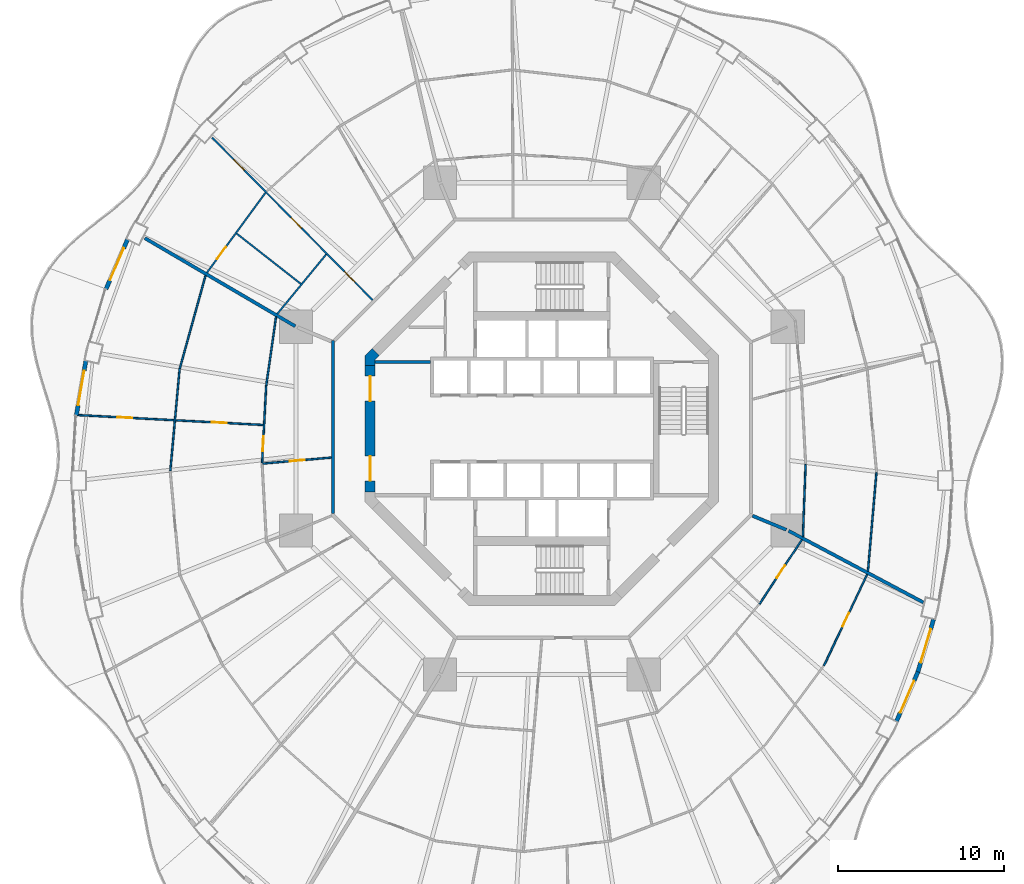
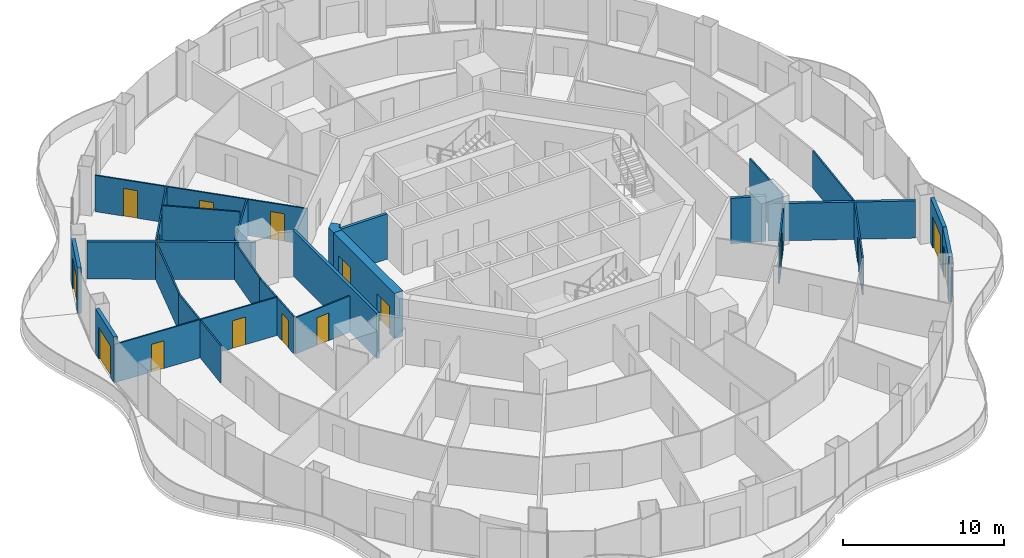
# One storey, part 15 of 21: 25 walls, 16 doors, 16 openings.
"""IFC4 building model written with IfcOpenShell, lengths in metres."""

from ifc_helpers import new_model, si_unit, direction, frame, frame_2d, origin, place, context, subcontext, project, spatial, polyline, rectangle, outline, extrude, material, layer, layer_set, type_object, element, fill, save


model = new_model("IFC4")

# Units and contexts
model_context = context("Model", 3, precision=1e-05, world=origin(), true_north=direction((0.0, 1.0)))
body_context = subcontext(model_context, "Body", "Model", "MODEL_VIEW")
ifc_project = project(units=[si_unit("LENGTHUNIT", "METRE"), si_unit("AREAUNIT", "SQUARE_METRE"), si_unit("VOLUMEUNIT", "CUBIC_METRE"), si_unit("PLANEANGLEUNIT", "RADIAN"), si_unit("MASSUNIT", "GRAM", prefix="KILO")], contexts=[model_context])

# Site, building, storey
site_placement = place(None, origin())
site = spatial("IfcSite", under=ifc_project, at=site_placement, CompositionType="ELEMENT")
building_placement = place(site_placement, origin())
building = spatial("IfcBuilding", under=site, at=building_placement, Name="Nagisa Residences", CompositionType="ELEMENT")
storey_placement = place(building_placement, frame((0.0, 0.0, 138.10009765625)))
storey = spatial("IfcBuildingStorey", under=building, at=storey_placement, Name="L34", CompositionType="ELEMENT", Elevation=138.10009765625)

# Walls
ifc_material_1 = material(Name="Gypsum board on steel studs", Category="steel")
ifc_layer_1 = layer(ifc_material_1, 0.199951171875)
ifc_layer_set_1 = layer_set([ifc_layer_1], Name="Apartment compartment wall EI60 200")
wall_type_1 = type_object("IfcWallType", Name="Apartment compartment wall EI60 200", PredefinedType="PARTITIONING", material=ifc_layer_set_1)
wall_1_placement = place(storey_placement, frame((-14.8251953125, 6.148193359375, 0.0), z_axis=(0.0, 0.0, 1.0), x_axis=(-0.862852031662, 0.505456597006, 0.0)))
element("IfcWall", 1, at=wall_1_placement, inside=storey, type_object=wall_type_1, Name="wall:L34:u03", PredefinedType="PARTITIONING", context=body_context, shape_type="SweptSolid", body=[
    extrude(rectangle(XDim=10.487060546875, YDim=0.199951171875, at=frame_2d((5.24365234375, 0.0))), origin(), (0.0, 0.0, 1.0), 2.827880859375),
])
wall_2_placement = place(storey_placement, frame((12.6572265625, -5.24267578125, 0.0), z_axis=(0.0, 0.0, 1.0), x_axis=(0.923846436004, -0.382763324632, 0.0)))
element("IfcWall", 2, at=wall_2_placement, inside=storey, type_object=wall_type_1, Name="wall:L34:u06", PredefinedType="PARTITIONING", context=body_context, shape_type="SweptSolid", body=[
    extrude(rectangle(XDim=2.200439453125, YDim=0.199951171875, at=frame_2d((1.10009765625, 0.0))), origin(), (0.0, 0.0, 1.0), 3.43994140625),
])
wall_3_placement = place(storey_placement, frame((14.826171875, -6.146484375, 0.0), z_axis=(0.0, 0.0, 1.0), x_axis=(0.883012998471, -0.469348532044, 0.0)))
element("IfcWall", 3, at=wall_3_placement, inside=storey, type_object=wall_type_1, Name="wall:L34:u07", PredefinedType="PARTITIONING", context=body_context, shape_type="SweptSolid", body=[
    extrude(rectangle(XDim=9.172119140625, YDim=0.199951171875, at=frame_2d((4.5859375, 0.0))), origin(), (0.0, 0.0, 1.0), 2.827880859375),
])
ifc_material_2 = material(Name="Gypsum board on steel studs", Category="steel")
ifc_layer_2 = layer(ifc_material_2, 0.199951171875)
ifc_layer_set_2 = layer_set([ifc_layer_2], Name="Apartment entry wall EI60 200")
wall_type_2 = type_object("IfcWallType", Name="Apartment entry wall EI60 200", PredefinedType="PARTITIONING", material=ifc_layer_set_2)
wall_4_placement = place(storey_placement, frame((-12.564697265625, 5.304443359375, 0.0), z_axis=(0.0, 0.0, 1.0), x_axis=(0.0, -1.0, 0.0)))
element("IfcWall", 4, at=wall_4_placement, inside=storey, type_object=wall_type_2, Name="wall:L34:u12", PredefinedType="PARTITIONING", context=body_context, shape_type="SweptSolid", body=[
    extrude(rectangle(XDim=10.408935546875, YDim=0.199951171875, at=frame_2d((5.20458984375, 0.0))), origin(), (0.0, 0.0, 1.0), 3.43994140625),
])
ifc_material_3 = material(Name="Gypsum board on steel studs", Category="steel")
ifc_layer_3 = layer(ifc_material_3, 0.10009765625)
ifc_layer_set_3 = layer_set([ifc_layer_3], Name="Apartment partition 100")
wall_type_3 = type_object("IfcWallType", Name="Apartment partition 100", PredefinedType="PARTITIONING", material=ifc_layer_set_3)
wall_5_placement = place(storey_placement, frame((15.848876953125, -2.158203125, 0.0), z_axis=(0.0, 0.0, 1.0), x_axis=(-0.03838348155, -0.999263082648, 0.0)))
element("IfcWall", 5, at=wall_5_placement, inside=storey, type_object=wall_type_3, Name="wall:L34:u17", PredefinedType="PARTITIONING", context=body_context, shape_type="SweptSolid", body=[
    extrude(rectangle(XDim=4.34423828125, YDim=0.10009765625, at=frame_2d((2.172119140625, 0.0))), origin(), (0.0, 0.0, 1.0), 3.43994140625),
])
wall_6_placement = place(storey_placement, frame((20.10595703125, -2.64208984375, 0.0), z_axis=(0.0, 0.0, 1.0), x_axis=(-0.085694058383, -0.996321498492, 0.0)))
element("IfcWall", 6, at=wall_6_placement, inside=storey, type_object=wall_type_3, Name="wall:L34:u19", PredefinedType="PARTITIONING", context=body_context, shape_type="SweptSolid", body=[
    extrude(rectangle(XDim=5.957275390625, YDim=0.10009765625, at=frame_2d((2.978515625, 0.0))), origin(), (0.0, 0.0, 1.0), 2.827880859375),
])

# Wall, openings, doors
wall_7_placement = place(storey_placement, frame((-10.181640625, 7.72900390625, 0.0), z_axis=(0.0, 0.0, 1.0), x_axis=(-0.702930219229, 0.7112588185, 0.0)))
wall_7 = element("IfcWall", 7, at=wall_7_placement, inside=storey, type_object=wall_type_3, Name="wall:L34:u46", PredefinedType="PARTITIONING", context=body_context, shape_type="SweptSolid", body=[
    extrude(rectangle(XDim=13.71875, YDim=0.10009765625, at=frame_2d((6.859375, 0.0))), origin(), (0.0, 0.0, 1.0), 2.755859375),
])
opening_1_placement = place(wall_7_placement, frame((1.50732421875, 0.0, 0.0)))
opening_1 = element("IfcOpeningElement", 8, at=opening_1_placement, cuts=wall_7, Name="Opening L34-U47", PredefinedType="OPENING", context=body_context, shape_type="SweptSolid", body=[
    extrude(rectangle(XDim=0.89990234375, YDim=2.10009765625, at=frame_2d((0.449951171875, 1.050048828125))), frame((0.0, 0.06005859375, 0.0), z_axis=(0.0, -1.0, 0.0), x_axis=(1.0, 0.0, 0.0)), (0.0, 0.0, 1.0), 0.1201171875),
])
opening_2_placement = place(wall_7_placement, frame((6.066650390625, 0.0, 0.0)))
opening_2 = element("IfcOpeningElement", 9, at=opening_2_placement, cuts=wall_7, Name="Opening L34-U49", PredefinedType="OPENING", context=body_context, shape_type="SweptSolid", body=[
    extrude(rectangle(XDim=0.89990234375, YDim=2.10009765625, at=frame_2d((0.449951171875, 1.050048828125))), frame((0.0, 0.06005859375, 0.0), z_axis=(0.0, -1.0, 0.0), x_axis=(1.0, 0.0, 0.0)), (0.0, 0.0, 1.0), 0.1201171875),
])
opening_3_placement = place(wall_7_placement, frame((10.96875, 0.0, 0.0)))
opening_3 = element("IfcOpeningElement", 10, at=opening_3_placement, cuts=wall_7, Name="Opening L34-U51", PredefinedType="OPENING", context=body_context, shape_type="SweptSolid", body=[
    extrude(rectangle(XDim=0.89990234375, YDim=2.10009765625, at=frame_2d((0.449951171875, 1.050048828125))), frame((0.0, 0.06005859375, 0.0), z_axis=(0.0, -1.0, 0.0), x_axis=(1.0, 0.0, 0.0)), (0.0, 0.0, 1.0), 0.1201171875),
])
ifc_material_4 = material(Name="Timber door set", Category="wood")
door_type_1 = type_object("IfcDoorType", Name="Apartment door 900x2100", OperationType="NOTDEFINED", PredefinedType="DOOR", material=ifc_material_4)
door_1_placement = place(opening_1_placement, origin())
door_1 = element("IfcDoor", 11, at=door_1_placement, inside=storey, type_object=door_type_1, Name="Door to store, Apartment 34D", OperationType="SINGLE_SWING_LEFT", OverallHeight=2.10009765625, OverallWidth=0.89990234375, PredefinedType="DOOR", context=body_context, shape_type="SweptSolid", body=[
    extrude(rectangle(XDim=0.89990234375, YDim=2.10009765625, at=frame_2d((0.449951171875, 1.050048828125))), frame((0.0, 0.02490234375, 0.0), z_axis=(0.0, -1.0, 0.0), x_axis=(1.0, 0.0, 0.0)), (0.0, 0.0, 1.0), 0.050048828125),
])
fill(opening_1, door_1)
door_2_placement = place(opening_2_placement, origin())
door_2 = element("IfcDoor", 12, at=door_2_placement, inside=storey, type_object=door_type_1, Name="Door to family bathroom, Apartment 34D", OperationType="SINGLE_SWING_LEFT", OverallHeight=2.10009765625, OverallWidth=0.89990234375, PredefinedType="DOOR", context=body_context, shape_type="SweptSolid", body=[
    extrude(rectangle(XDim=0.89990234375, YDim=2.10009765625, at=frame_2d((0.449951171875, 1.050048828125))), frame((0.0, 0.02490234375, 0.0), z_axis=(0.0, -1.0, 0.0), x_axis=(1.0, 0.0, 0.0)), (0.0, 0.0, 1.0), 0.050048828125),
])
fill(opening_2, door_2)
door_3_placement = place(opening_3_placement, origin())
door_3 = element("IfcDoor", 13, at=door_3_placement, inside=storey, type_object=door_type_1, Name="Door to bedroom, Apartment 34D", OperationType="SINGLE_SWING_LEFT", OverallHeight=2.10009765625, OverallWidth=0.89990234375, PredefinedType="DOOR", context=body_context, shape_type="SweptSolid", body=[
    extrude(rectangle(XDim=0.89990234375, YDim=2.10009765625, at=frame_2d((0.449951171875, 1.050048828125))), frame((0.0, 0.02490234375, 0.0), z_axis=(0.0, -1.0, 0.0), x_axis=(1.0, 0.0, 0.0)), (0.0, 0.0, 1.0), 0.050048828125),
])
fill(opening_3, door_3)

# Wall
wall_8_placement = place(storey_placement, frame((-12.965087890625, 10.474609375, 0.0), z_axis=(0.0, 0.0, 1.0), x_axis=(-0.634943961338, -0.772558195841, 0.0)))
element("IfcWall", 14, at=wall_8_placement, inside=storey, type_object=wall_type_3, Name="wall:L34:u47", PredefinedType="PARTITIONING", context=body_context, shape_type="SweptSolid", body=[
    extrude(rectangle(XDim=4.632080078125, YDim=0.10009765625, at=frame_2d((2.31591796875, 0.0))), origin(), (0.0, 0.0, 1.0), 2.827880859375),
])

# Wall, opening, door
wall_9_placement = place(storey_placement, frame((-16.620849609375, 14.17431640625, 0.0), z_axis=(0.0, 0.0, 1.0), x_axis=(-0.590674917338, -0.806909624449, 0.0)))
wall_9 = element("IfcWall", 15, at=wall_9_placement, inside=storey, type_object=wall_type_3, Name="wall:L34:u48", PredefinedType="PARTITIONING", context=body_context, shape_type="SweptSolid", body=[
    extrude(rectangle(XDim=5.948974609375, YDim=0.10009765625, at=frame_2d((2.974609375, 0.0))), origin(), (0.0, 0.0, 1.0), 2.827880859375),
])
opening_4_placement = place(wall_9_placement, frame((4.0244140625, 0.0, 0.0)))
opening_4 = element("IfcOpeningElement", 16, at=opening_4_placement, cuts=wall_9, Name="Opening L34-U52", PredefinedType="OPENING", context=body_context, shape_type="SweptSolid", body=[
    extrude(rectangle(XDim=0.89990234375, YDim=2.10009765625, at=frame_2d((0.449951171875, 1.050048828125))), frame((0.0, 0.06005859375, 0.0), z_axis=(0.0, -1.0, 0.0), x_axis=(1.0, 0.0, 0.0)), (0.0, 0.0, 1.0), 0.1201171875),
])
door_4_placement = place(opening_4_placement, origin())
door_4 = element("IfcDoor", 17, at=door_4_placement, inside=storey, type_object=door_type_1, Name="Door to en-suite bathroom, Apartment 34D", OperationType="SINGLE_SWING_RIGHT", OverallHeight=2.10009765625, OverallWidth=0.89990234375, PredefinedType="DOOR", context=body_context, shape_type="SweptSolid", body=[
    extrude(rectangle(XDim=0.89990234375, YDim=2.10009765625, at=frame_2d((0.449951171875, 1.050048828125))), frame((0.0, 0.02490234375, 0.0), z_axis=(0.0, -1.0, 0.0), x_axis=(1.0, 0.0, 0.0)), (0.0, 0.0, 1.0), 0.050048828125),
])
fill(opening_4, door_4)

# Walls
wall_10_placement = place(storey_placement, frame((-14.490966796875, 8.69677734375, 0.0), z_axis=(0.0, 0.0, 1.0), x_axis=(-0.787139479951, 0.616775031193, 0.0)))
element("IfcWall", 18, at=wall_10_placement, inside=storey, type_object=wall_type_3, Name="wall:L34:u49", PredefinedType="PARTITIONING", context=body_context, shape_type="SweptSolid", body=[
    extrude(rectangle(XDim=4.90673828125, YDim=0.10009765625, at=frame_2d((2.453369140625, 0.0))), origin(), (0.0, 0.0, 1.0), 3.43994140625),
])
wall_11_placement = place(storey_placement, frame((-15.98388671875, 6.7197265625, 0.0), z_axis=(0.0, 0.0, 1.0), x_axis=(-0.140684869512, -0.990054426529, 0.0)))
element("IfcWall", 19, at=wall_11_placement, inside=storey, type_object=wall_type_3, Name="wall:L34:u50", PredefinedType="PARTITIONING", context=body_context, shape_type="SweptSolid", body=[
    extrude(rectangle(XDim=4.177001953125, YDim=0.10009765625, at=frame_2d((2.08837890625, 0.0))), origin(), (0.0, 0.0, 1.0), 2.827880859375),
])
wall_12_placement = place(storey_placement, frame((-20.220703125, 9.19677734375, 0.0), z_axis=(0.0, 0.0, 1.0), x_axis=(-0.267398009191, -0.963586168789, 0.0)))
element("IfcWall", 20, at=wall_12_placement, inside=storey, type_object=wall_type_3, Name="wall:L34:u51", PredefinedType="PARTITIONING", context=body_context, shape_type="SweptSolid", body=[
    extrude(rectangle(XDim=5.78759765625, YDim=0.10009765625, at=frame_2d((2.893798828125, 0.0))), origin(), (0.0, 0.0, 1.0), 2.827880859375),
])

# Wall, opening, door
wall_13_placement = place(storey_placement, frame((-16.575927734375, 2.584716796875, 0.0), z_axis=(0.0, 0.0, 1.0), x_axis=(-0.052509224895, -0.998620439056, 0.0)))
wall_13 = element("IfcWall", 21, at=wall_13_placement, inside=storey, type_object=wall_type_3, Name="wall:L34:u52", PredefinedType="PARTITIONING", context=body_context, shape_type="SweptSolid", body=[
    extrude(rectangle(XDim=4.6494140625, YDim=0.10009765625, at=frame_2d((2.32470703125, 0.0))), origin(), (0.0, 0.0, 1.0), 2.827880859375),
])
opening_5_placement = place(wall_13_placement, frame((3.06201171875, 0.0, 0.0)))
opening_5 = element("IfcOpeningElement", 22, at=opening_5_placement, cuts=wall_13, Name="Opening L34-U10", PredefinedType="OPENING", context=body_context, shape_type="SweptSolid", body=[
    extrude(rectangle(XDim=0.89990234375, YDim=2.10009765625, at=frame_2d((0.449951171875, 1.050048828125))), frame((0.0, 0.06005859375, 0.0), z_axis=(0.0, -1.0, 0.0), x_axis=(1.0, 0.0, 0.0)), (0.0, 0.0, 1.0), 0.1201171875),
])
door_5_placement = place(opening_5_placement, origin())
door_5 = element("IfcDoor", 23, at=door_5_placement, inside=storey, type_object=door_type_1, Name="Door to laundry, Apartment 34A", OperationType="SINGLE_SWING_RIGHT", OverallHeight=2.10009765625, OverallWidth=0.89990234375, PredefinedType="DOOR", context=body_context, shape_type="SweptSolid", body=[
    extrude(rectangle(XDim=0.89990234375, YDim=2.10009765625, at=frame_2d((0.449951171875, 1.050048828125))), frame((0.0, 0.02490234375, 0.0), z_axis=(0.0, -1.0, 0.0), x_axis=(1.0, 0.0, 0.0)), (0.0, 0.0, 1.0), 0.050048828125),
])
fill(opening_5, door_5)

# Wall
wall_14_placement = place(storey_placement, frame((-21.777099609375, 3.621337890625, 0.0), z_axis=(0.0, 0.0, 1.0), x_axis=(-0.090606877484, -0.995886737412, 0.0)))
element("IfcWall", 24, at=wall_14_placement, inside=storey, type_object=wall_type_3, Name="wall:L34:u53", PredefinedType="PARTITIONING", context=body_context, shape_type="SweptSolid", body=[
    extrude(rectangle(XDim=6.189208984375, YDim=0.10009765625, at=frame_2d((3.0947265625, 0.0))), origin(), (0.0, 0.0, 1.0), 2.827880859375),
])

# Wall, openings, doors
wall_15_placement = place(storey_placement, frame((-16.75048828125, 0.2158203125, 0.0), z_axis=(0.0, 0.0, 1.0), x_axis=(-0.998572054207, 0.053421461579, 0.0)))
wall_15 = element("IfcWall", 25, at=wall_15_placement, inside=storey, type_object=wall_type_3, Name="wall:L34:u54", PredefinedType="PARTITIONING", context=body_context, shape_type="SweptSolid", body=[
    extrude(rectangle(XDim=11.333740234375, YDim=0.10009765625, at=frame_2d((5.6669921875, 0.0))), origin(), (0.0, 0.0, 1.0), 2.90478515625),
])
opening_6_placement = place(wall_15_placement, frame((2.209228515625, 0.0, 0.0)))
opening_6 = element("IfcOpeningElement", 26, at=opening_6_placement, cuts=wall_15, Name="Opening L34-U12", PredefinedType="OPENING", context=body_context, shape_type="SweptSolid", body=[
    extrude(rectangle(XDim=0.89990234375, YDim=2.10009765625, at=frame_2d((0.449951171875, 1.050048828125))), frame((0.0, 0.06005859375, 0.0), z_axis=(0.0, -1.0, 0.0), x_axis=(1.0, 0.0, 0.0)), (0.0, 0.0, 1.0), 0.1201171875),
])
opening_7_placement = place(wall_15_placement, frame((7.876220703125, 0.0, 0.0)))
opening_7 = element("IfcOpeningElement", 27, at=opening_7_placement, cuts=wall_15, Name="Opening L34-U13", PredefinedType="OPENING", context=body_context, shape_type="SweptSolid", body=[
    extrude(rectangle(XDim=0.89990234375, YDim=2.10009765625, at=frame_2d((0.449951171875, 1.050048828125))), frame((0.0, 0.06005859375, 0.0), z_axis=(0.0, -1.0, 0.0), x_axis=(1.0, 0.0, 0.0)), (0.0, 0.0, 1.0), 0.1201171875),
])
door_6_placement = place(opening_6_placement, frame((0.89990234375, 0.0, 0.0), x_axis=(-1.0, 0.0, 0.0)))
door_6 = element("IfcDoor", 28, at=door_6_placement, inside=storey, type_object=door_type_1, Name="Door to kitchen, Apartment 34A", OperationType="SINGLE_SWING_LEFT", OverallHeight=2.10009765625, OverallWidth=0.89990234375, PredefinedType="DOOR", context=body_context, shape_type="SweptSolid", body=[
    extrude(rectangle(XDim=0.89990234375, YDim=2.10009765625, at=frame_2d((0.449951171875, 1.050048828125))), frame((0.0, 0.02490234375, 0.0), z_axis=(0.0, -1.0, 0.0), x_axis=(1.0, 0.0, 0.0)), (0.0, 0.0, 1.0), 0.050048828125),
])
fill(opening_6, door_6)
door_7_placement = place(opening_7_placement, frame((0.89990234375, 0.0, 0.0), x_axis=(-1.0, 0.0, 0.0)))
door_7 = element("IfcDoor", 29, at=door_7_placement, inside=storey, type_object=door_type_1, Name="Door to master bedroom, Apartment 34A", OperationType="SINGLE_SWING_RIGHT", OverallHeight=2.10009765625, OverallWidth=0.89990234375, PredefinedType="DOOR", context=body_context, shape_type="SweptSolid", body=[
    extrude(rectangle(XDim=0.89990234375, YDim=2.10009765625, at=frame_2d((0.449951171875, 1.050048828125))), frame((0.0, 0.02490234375, 0.0), z_axis=(0.0, -1.0, 0.0), x_axis=(1.0, 0.0, 0.0)), (0.0, 0.0, 1.0), 0.050048828125),
])
fill(opening_7, door_7)

# Wall, opening, door
wall_16_placement = place(storey_placement, frame((-12.664306640625, -1.74365234375, 0.0), z_axis=(0.0, 0.0, 1.0), x_axis=(-0.996181049379, -0.08731160781, 0.0)))
wall_16 = element("IfcWall", 30, at=wall_16_placement, inside=storey, type_object=wall_type_3, Name="wall:L34:u55", PredefinedType="PARTITIONING", context=body_context, shape_type="SweptSolid", body=[
    extrude(rectangle(XDim=4.12451171875, YDim=0.10009765625, at=frame_2d((2.062255859375, 0.0))), origin(), (0.0, 0.0, 1.0), 2.755859375),
])
opening_8_placement = place(wall_16_placement, frame((1.6123046875, 0.0, 0.0)))
opening_8 = element("IfcOpeningElement", 31, at=opening_8_placement, cuts=wall_16, Name="Opening L34-U11", PredefinedType="OPENING", context=body_context, shape_type="SweptSolid", body=[
    extrude(rectangle(XDim=0.89990234375, YDim=2.10009765625, at=frame_2d((0.449951171875, 1.050048828125))), frame((0.0, 0.06005859375, 0.0), z_axis=(0.0, -1.0, 0.0), x_axis=(1.0, 0.0, 0.0)), (0.0, 0.0, 1.0), 0.1201171875),
])
door_8_placement = place(opening_8_placement, origin())
door_8 = element("IfcDoor", 32, at=door_8_placement, inside=storey, type_object=door_type_1, Name="Door to store, Apartment 34A", OperationType="SINGLE_SWING_LEFT", OverallHeight=2.10009765625, OverallWidth=0.89990234375, PredefinedType="DOOR", context=body_context, shape_type="SweptSolid", body=[
    extrude(rectangle(XDim=0.89990234375, YDim=2.10009765625, at=frame_2d((0.449951171875, 1.050048828125))), frame((0.0, 0.02490234375, 0.0), z_axis=(0.0, -1.0, 0.0), x_axis=(1.0, 0.0, 0.0)), (0.0, 0.0, 1.0), 0.050048828125),
])
fill(opening_8, door_8)

wall_17_placement = place(storey_placement, frame((13.072265625, -10.550048828125, 0.0), z_axis=(0.0, 0.0, 1.0), x_axis=(0.550607247415, 0.834764433295, 0.0)))
wall_17 = element("IfcWall", 33, at=wall_17_placement, inside=storey, type_object=wall_type_3, Name="wall:L34:u90", PredefinedType="PARTITIONING", context=body_context, shape_type="SweptSolid", body=[
    extrude(rectangle(XDim=4.632568359375, YDim=0.10009765625, at=frame_2d((2.31640625, 0.0))), origin(), (0.0, 0.0, 1.0), 2.827880859375),
])
opening_9_placement = place(wall_17_placement, frame((1.891357421875, 0.0, 0.0)))
opening_9 = element("IfcOpeningElement", 34, at=opening_9_placement, cuts=wall_17, Name="Opening L34-U27", PredefinedType="OPENING", context=body_context, shape_type="SweptSolid", body=[
    extrude(rectangle(XDim=0.89990234375, YDim=2.10009765625, at=frame_2d((0.449951171875, 1.050048828125))), frame((0.0, 0.06005859375, 0.0), z_axis=(0.0, -1.0, 0.0), x_axis=(1.0, 0.0, 0.0)), (0.0, 0.0, 1.0), 0.1201171875),
])
door_9_placement = place(opening_9_placement, origin())
door_9 = element("IfcDoor", 35, at=door_9_placement, inside=storey, type_object=door_type_1, Name="Door to laundry, Apartment 34B", OperationType="SINGLE_SWING_LEFT", OverallHeight=2.10009765625, OverallWidth=0.89990234375, PredefinedType="DOOR", context=body_context, shape_type="SweptSolid", body=[
    extrude(rectangle(XDim=0.89990234375, YDim=2.10009765625, at=frame_2d((0.449951171875, 1.050048828125))), frame((0.0, 0.02490234375, 0.0), z_axis=(0.0, -1.0, 0.0), x_axis=(1.0, 0.0, 0.0)), (0.0, 0.0, 1.0), 0.050048828125),
])
fill(opening_9, door_9)

wall_18_placement = place(storey_placement, frame((16.95263671875, -14.24853515625, 0.0), z_axis=(0.0, 0.0, 1.0), x_axis=(0.427438858397, 0.904044259056, 0.0)))
wall_18 = element("IfcWall", 36, at=wall_18_placement, inside=storey, type_object=wall_type_3, Name="wall:L34:u91", PredefinedType="PARTITIONING", context=body_context, shape_type="SweptSolid", body=[
    extrude(rectangle(XDim=6.06298828125, YDim=0.10009765625, at=frame_2d((3.031494140625, 0.0))), origin(), (0.0, 0.0, 1.0), 2.827880859375),
])
opening_10_placement = place(wall_18_placement, frame((2.606689453125, 0.0, 0.0)))
opening_10 = element("IfcOpeningElement", 37, at=opening_10_placement, cuts=wall_18, Name="Opening L34-U25", PredefinedType="OPENING", context=body_context, shape_type="SweptSolid", body=[
    extrude(rectangle(XDim=0.89990234375, YDim=2.10009765625, at=frame_2d((0.449951171875, 1.050048828125))), frame((0.0, 0.06005859375, 0.0), z_axis=(0.0, -1.0, 0.0), x_axis=(1.0, 0.0, 0.0)), (0.0, 0.0, 1.0), 0.1201171875),
])
door_10_placement = place(opening_10_placement, frame((0.89990234375, 0.0, 0.0), x_axis=(-1.0, 0.0, 0.0)))
door_10 = element("IfcDoor", 38, at=door_10_placement, inside=storey, type_object=door_type_1, Name="Door to living room, Apartment 34B", OperationType="SINGLE_SWING_RIGHT", OverallHeight=2.10009765625, OverallWidth=0.89990234375, PredefinedType="DOOR", context=body_context, shape_type="SweptSolid", body=[
    extrude(rectangle(XDim=0.89990234375, YDim=2.10009765625, at=frame_2d((0.449951171875, 1.050048828125))), frame((0.0, 0.02490234375, 0.0), z_axis=(0.0, -1.0, 0.0), x_axis=(1.0, 0.0, 0.0)), (0.0, 0.0, 1.0), 0.050048828125),
])
fill(opening_10, door_10)

ifc_material_5 = material(Name="Precast concrete C40/50", Category="concrete")
ifc_layer_4 = layer(ifc_material_5, 0.25)
ifc_layer_set_4 = layer_set([ifc_layer_4], Name="BALCONY DOOR WALL 250")
wall_type_4 = type_object("IfcWallType", Name="BALCONY DOOR WALL 250", PredefinedType="SOLIDWALL", material=ifc_layer_set_4)
wall_19_placement = place(storey_placement, frame((-26.200439453125, 8.3876953125, 0.0), z_axis=(0.0, 0.0, 1.0), x_axis=(0.397638954585, 0.917541967321, 0.0)))
wall_19 = element("IfcWall", 39, at=wall_19_placement, inside=storey, type_object=wall_type_4, Name="wall:L34:bay20", PredefinedType="SOLIDWALL", context=body_context, shape_type="SweptSolid", body=[
    extrude(rectangle(XDim=3.2607421875, YDim=0.25, at=frame_2d((1.63037109375, 0.0))), origin(), (0.0, 0.0, 1.0), 3.43994140625),
])
opening_11_placement = place(wall_19_placement, frame((0.580322265625, 0.0, 0.0)))
opening_11 = element("IfcOpeningElement", 40, at=opening_11_placement, cuts=wall_19, Name="Opening BD-L34-07", PredefinedType="OPENING", context=body_context, shape_type="SweptSolid", body=[
    extrude(rectangle(XDim=2.10009765625, YDim=2.39990234375, at=frame_2d((1.050048828125, 1.199951171875))), frame((0.0, 0.135009765625, 0.0), z_axis=(0.0, -1.0, 0.0), x_axis=(1.0, 0.0, 0.0)), (0.0, 0.0, 1.0), 0.27001953125),
])
ifc_material_6 = material(Name="Aluminium and clear glass", Category="aluminium")
door_type_2 = type_object("IfcDoorType", Name="BALCONY SLIDING DOOR 2100x2400", OperationType="SLIDING_TO_LEFT", PredefinedType="DOOR", material=ifc_material_6)
door_11_placement = place(opening_11_placement, origin())
door_11 = element("IfcDoor", 41, at=door_11_placement, inside=storey, type_object=door_type_2, Name="door:L34:bay20", OperationType="SLIDING_TO_LEFT", OverallHeight=2.39990234375, OverallWidth=2.10009765625, PredefinedType="DOOR", context=body_context, shape_type="SweptSolid", body=[
    extrude(rectangle(XDim=2.10009765625, YDim=2.39990234375, at=frame_2d((1.050048828125, 1.199951171875))), frame((0.0, 0.02490234375, 0.0), z_axis=(0.0, -1.0, 0.0), x_axis=(1.0, 0.0, 0.0)), (0.0, 0.0, 1.0), 0.050048828125),
])
fill(opening_11, door_11)

wall_20_placement = place(storey_placement, frame((-27.98486328125, 0.802001953125, 0.0), z_axis=(0.0, 0.0, 1.0), x_axis=(0.172163521006, 0.985068384446, 0.0)))
wall_20 = element("IfcWall", 42, at=wall_20_placement, inside=storey, type_object=wall_type_4, Name="wall:L34:bay22", PredefinedType="SOLIDWALL", context=body_context, shape_type="SweptSolid", body=[
    extrude(rectangle(XDim=3.33251953125, YDim=0.25, at=frame_2d((1.666259765625, 0.0))), origin(), (0.0, 0.0, 1.0), 3.43994140625),
])
opening_12_placement = place(wall_20_placement, frame((0.6162109375, 0.0, 0.0)))
opening_12 = element("IfcOpeningElement", 43, at=opening_12_placement, cuts=wall_20, Name="Opening BD-L34-08", PredefinedType="OPENING", context=body_context, shape_type="SweptSolid", body=[
    extrude(rectangle(XDim=2.10009765625, YDim=2.39990234375, at=frame_2d((1.050048828125, 1.199951171875))), frame((0.0, 0.135009765625, 0.0), z_axis=(0.0, -1.0, 0.0), x_axis=(1.0, 0.0, 0.0)), (0.0, 0.0, 1.0), 0.27001953125),
])
door_12_placement = place(opening_12_placement, origin())
door_12 = element("IfcDoor", 44, at=door_12_placement, inside=storey, type_object=door_type_2, Name="door:L34:bay22", OperationType="SLIDING_TO_LEFT", OverallHeight=2.39990234375, OverallWidth=2.10009765625, PredefinedType="DOOR", context=body_context, shape_type="SweptSolid", body=[
    extrude(rectangle(XDim=2.10009765625, YDim=2.39990234375, at=frame_2d((1.050048828125, 1.199951171875))), frame((0.0, 0.02490234375, 0.0), z_axis=(0.0, -1.0, 0.0), x_axis=(1.0, 0.0, 0.0)), (0.0, 0.0, 1.0), 0.050048828125),
])
fill(opening_12, door_12)

wall_21_placement = place(storey_placement, frame((22.600341796875, -14.623046875, 0.0), z_axis=(0.0, 0.0, 1.0), x_axis=(-0.397575919276, -0.917569282622, 0.0)))
wall_21 = element("IfcWall", 45, at=wall_21_placement, inside=storey, type_object=wall_type_4, Name="wall:L34:bay44", PredefinedType="SOLIDWALL", context=body_context, shape_type="SweptSolid", body=[
    extrude(rectangle(XDim=3.2607421875, YDim=0.25, at=frame_2d((1.63037109375, 0.0))), origin(), (0.0, 0.0, 1.0), 3.43994140625),
])
opening_13_placement = place(wall_21_placement, frame((0.580322265625, 0.0, 0.0)))
opening_13 = element("IfcOpeningElement", 46, at=opening_13_placement, cuts=wall_21, Name="Opening BD-L34-15", PredefinedType="OPENING", context=body_context, shape_type="SweptSolid", body=[
    extrude(rectangle(XDim=2.10009765625, YDim=2.39990234375, at=frame_2d((1.050048828125, 1.199951171875))), frame((0.0, 0.135009765625, 0.0), z_axis=(0.0, -1.0, 0.0), x_axis=(1.0, 0.0, 0.0)), (0.0, 0.0, 1.0), 0.27001953125),
])
door_13_placement = place(opening_13_placement, origin())
door_13 = element("IfcDoor", 47, at=door_13_placement, inside=storey, type_object=door_type_2, Name="door:L34:bay44", OperationType="SLIDING_TO_LEFT", OverallHeight=2.39990234375, OverallWidth=2.10009765625, PredefinedType="DOOR", context=body_context, shape_type="SweptSolid", body=[
    extrude(rectangle(XDim=2.10009765625, YDim=2.39990234375, at=frame_2d((1.050048828125, 1.199951171875))), frame((0.0, 0.02490234375, 0.0), z_axis=(0.0, -1.0, 0.0), x_axis=(1.0, 0.0, 0.0)), (0.0, 0.0, 1.0), 0.050048828125),
])
fill(opening_13, door_13)

wall_22_placement = place(storey_placement, frame((23.53955078125, -11.471923828125, 0.0), z_axis=(0.0, 0.0, 1.0), x_axis=(-0.285821792767, -0.958282788523, 0.0)))
wall_22 = element("IfcWall", 48, at=wall_22_placement, inside=storey, type_object=wall_type_4, Name="wall:L34:bay45", PredefinedType="SOLIDWALL", context=body_context, shape_type="SweptSolid", body=[
    extrude(rectangle(XDim=3.302978515625, YDim=0.25, at=frame_2d((1.6513671875, 0.0))), origin(), (0.0, 0.0, 1.0), 3.43994140625),
])
opening_14_placement = place(wall_22_placement, frame((0.6015625, 0.0, 0.0)))
opening_14 = element("IfcOpeningElement", 49, at=opening_14_placement, cuts=wall_22, Name="Opening BD-L34-16", PredefinedType="OPENING", context=body_context, shape_type="SweptSolid", body=[
    extrude(rectangle(XDim=2.10009765625, YDim=2.39990234375, at=frame_2d((1.050048828125, 1.199951171875))), frame((0.0, 0.135009765625, 0.0), z_axis=(0.0, -1.0, 0.0), x_axis=(1.0, 0.0, 0.0)), (0.0, 0.0, 1.0), 0.27001953125),
])
door_14_placement = place(opening_14_placement, origin())
door_14 = element("IfcDoor", 50, at=door_14_placement, inside=storey, type_object=door_type_2, Name="door:L34:bay45", OperationType="SLIDING_TO_LEFT", OverallHeight=2.39990234375, OverallWidth=2.10009765625, PredefinedType="DOOR", context=body_context, shape_type="SweptSolid", body=[
    extrude(rectangle(XDim=2.10009765625, YDim=2.39990234375, at=frame_2d((1.050048828125, 1.199951171875))), frame((0.0, 0.02490234375, 0.0), z_axis=(0.0, -1.0, 0.0), x_axis=(1.0, 0.0, 0.0)), (0.0, 0.0, 1.0), 0.050048828125),
])
fill(opening_14, door_14)

# Wall
ifc_material_7 = material(Name="Gypsum board on steel studs", Category="steel")
ifc_layer_5 = layer(ifc_material_7, 0.199951171875)
ifc_layer_set_5 = layer_set([ifc_layer_5], Name="Core partition 200")
wall_type_5 = type_object("IfcWallType", Name="Core partition 200", PredefinedType="PARTITIONING", material=ifc_layer_set_5)
wall_23_placement = place(storey_placement, frame((-10.024658203125, 4.0, 0.0), z_axis=(0.0, 0.0, 1.0), x_axis=(1.0, 0.0, 0.0)))
element("IfcWall", 51, at=wall_23_placement, inside=storey, type_object=wall_type_5, Name="wall:L34:PNW", PredefinedType="PARTITIONING", context=body_context, shape_type="SweptSolid", body=[
    extrude(rectangle(XDim=3.32470703125, YDim=0.199951171875, at=frame_2d((1.662353515625, 0.0))), origin(), (0.0, 0.0, 1.0), 3.43994140625),
])

# Wall, openings, doors
ifc_material_8 = material(Name="Concrete C60", Category="concrete")
ifc_layer_6 = layer(ifc_material_8, 0.60009765625)
ifc_layer_set_6 = layer_set([ifc_layer_6], Name="Core shear wall 600")
wall_type_6 = type_object("IfcWallType", Name="Core shear wall 600", PredefinedType="SHEAR", material=ifc_layer_set_6)
wall_24_placement = place(storey_placement, frame((-10.32470703125, 3.80078125, 0.0), z_axis=(0.0, 0.0, 1.0), x_axis=(0.0, -1.0, 0.0)))
wall_24 = element("IfcWall", 52, at=wall_24_placement, inside=storey, type_object=wall_type_6, Name="wall:L34:core:flat4", PredefinedType="SHEAR", context=body_context, shape_type="SweptSolid", body=[
    extrude(rectangle(XDim=7.6015625, YDim=0.60009765625, at=frame_2d((3.80078125, 0.0))), origin(), (0.0, 0.0, 1.0), 3.43994140625),
])
opening_15_placement = place(wall_24_placement, frame((0.65087890625, 0.0, 0.0)))
opening_15 = element("IfcOpeningElement", 53, at=opening_15_placement, cuts=wall_24, Name="Opening L34-C18", PredefinedType="OPENING", context=body_context, shape_type="SweptSolid", body=[
    extrude(rectangle(XDim=1.5, YDim=2.10009765625, at=frame_2d((0.75, 1.050048828125))), frame((0.0, 0.31005859375, 0.0), z_axis=(0.0, -1.0, 0.0), x_axis=(1.0, 0.0, 0.0)), (0.0, 0.0, 1.0), 0.6201171875),
])
opening_16_placement = place(wall_24_placement, frame((5.450927734375, 0.0, 0.0)))
opening_16 = element("IfcOpeningElement", 54, at=opening_16_placement, cuts=wall_24, Name="Opening L34-C19", PredefinedType="OPENING", context=body_context, shape_type="SweptSolid", body=[
    extrude(rectangle(XDim=1.5, YDim=2.10009765625, at=frame_2d((0.75, 1.050048828125))), frame((0.0, 0.31005859375, 0.0), z_axis=(0.0, -1.0, 0.0), x_axis=(1.0, 0.0, 0.0)), (0.0, 0.0, 1.0), 0.6201171875),
])
ifc_material_9 = material(Name="Steel fire door", Category="steel")
door_type_3 = type_object("IfcDoorType", Name="Fire door EI60 1500x2100 double door single swing", OperationType="DOUBLE_DOOR_SINGLE_SWING", PredefinedType="DOOR", material=ifc_material_9)
door_15_placement = place(opening_15_placement, origin())
door_15 = element("IfcDoor", 55, at=door_15_placement, inside=storey, type_object=door_type_3, Name="Lift lobby door L34 1", OperationType="DOUBLE_DOOR_SINGLE_SWING", OverallHeight=2.10009765625, OverallWidth=1.5, PredefinedType="DOOR", context=body_context, shape_type="SweptSolid", body=[
    extrude(rectangle(XDim=1.5, YDim=2.10009765625, at=frame_2d((0.75, 1.050048828125))), frame((0.0, 0.02490234375, 0.0), z_axis=(0.0, -1.0, 0.0), x_axis=(1.0, 0.0, 0.0)), (0.0, 0.0, 1.0), 0.050048828125),
])
fill(opening_15, door_15)
door_16_placement = place(opening_16_placement, origin())
door_16 = element("IfcDoor", 56, at=door_16_placement, inside=storey, type_object=door_type_3, Name="Lift lobby door L34 2", OperationType="DOUBLE_DOOR_SINGLE_SWING", OverallHeight=2.10009765625, OverallWidth=1.5, PredefinedType="DOOR", context=body_context, shape_type="SweptSolid", body=[
    extrude(rectangle(XDim=1.5, YDim=2.10009765625, at=frame_2d((0.75, 1.050048828125))), frame((0.0, 0.02490234375, 0.0), z_axis=(0.0, -1.0, 0.0), x_axis=(1.0, 0.0, 0.0)), (0.0, 0.0, 1.0), 0.050048828125),
])
fill(opening_16, door_16)

# Wall
wall_25_placement = place(storey_placement, origin())
element("IfcWall", 57, at=wall_25_placement, inside=storey, type_object=wall_type_6, Name="wall:L34:core:pier3", PredefinedType="SHEAR", context=body_context, shape_type="SweptSolid", body=[
    extrude(outline(polyline([(-10.200439453125, 4.8251953125), (-9.776123046875, 4.40087890625), (-10.024658203125, 4.15234375), (-10.024658203125, 3.80078125), (-10.62451171875, 3.80078125), (-10.62451171875, 4.40087890625), (-10.200439453125, 4.8251953125)])), origin(), (0.0, 0.0, 1.0), 3.43994140625),
])

save(model, "model.ifc")
